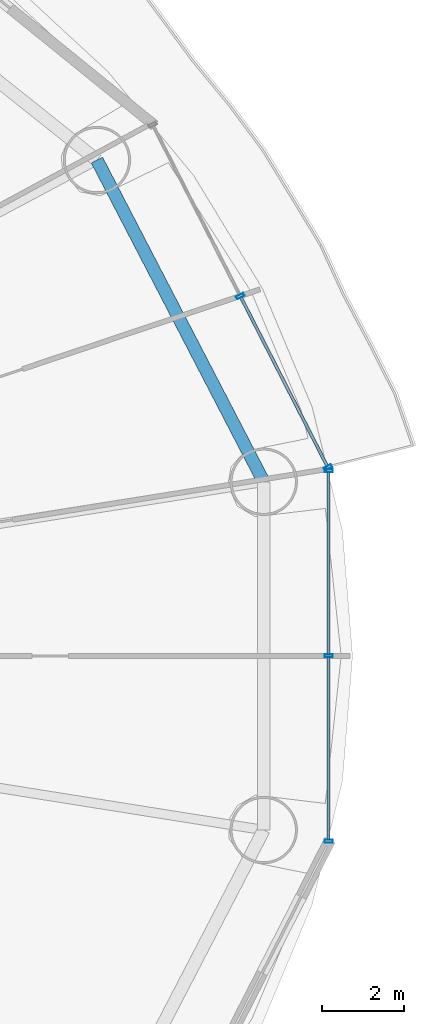
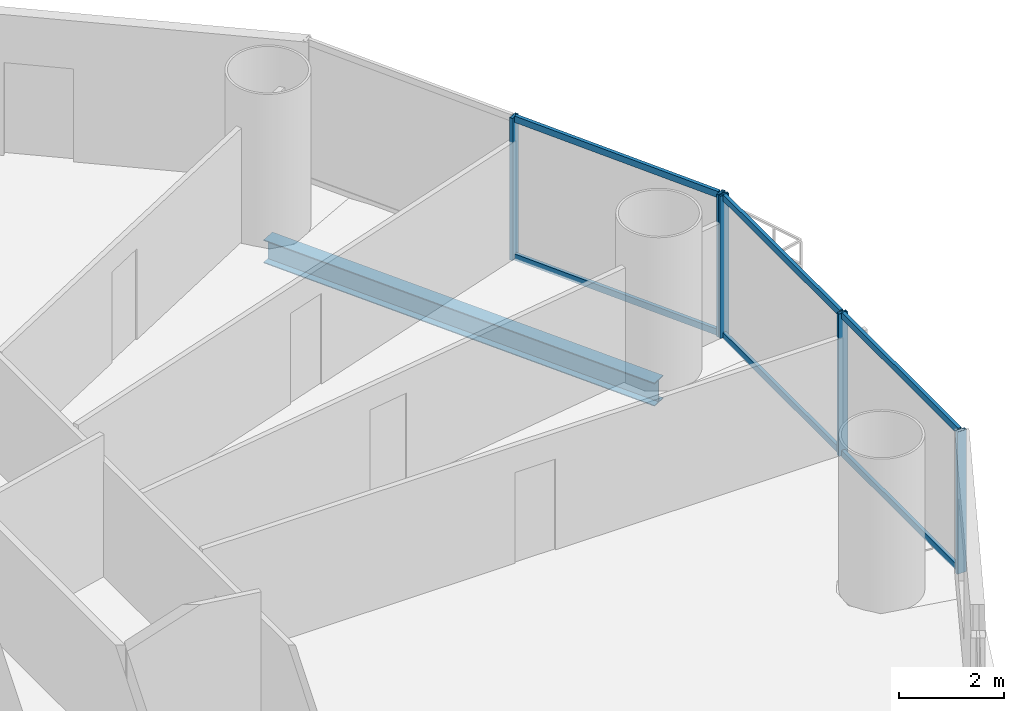
# One storey, part 14 of 29: 11 members, 1 beam, 2 elements without a shape of their own.
"""IFC4 building model written with IfcOpenShell, lengths in metres."""

from ifc_helpers import new_model, si_unit, direction, frame, origin, origin_2d, place, context, subcontext, project, spatial, hollow_rectangle, i_section, extrude, source, transform, mapped, material, material_profile, profile_set, type_object, element, aggregate, save


model = new_model("IFC4")

# Units and contexts
model_context = context("Model", 3, precision=1e-05, world=origin(), true_north=direction((-0.2419218956, 0.970295726276)))
body_context = subcontext(model_context, "Body", "Model", "MODEL_VIEW")
ifc_project = project(units=[si_unit("LENGTHUNIT", "METRE"), si_unit("AREAUNIT", "SQUARE_METRE"), si_unit("VOLUMEUNIT", "CUBIC_METRE"), si_unit("PLANEANGLEUNIT", "RADIAN"), si_unit("MASSUNIT", "GRAM", prefix="KILO")], contexts=[model_context])

# Site, building, storey
site_placement = place(None, origin())
site = spatial("IfcSite", under=ifc_project, at=site_placement, CompositionType="ELEMENT")
building_placement = place(site_placement, origin())
building = spatial("IfcBuilding", under=site, at=building_placement, Name="Cobrevalo Terracotta Tower", CompositionType="ELEMENT")
storey_placement = place(building_placement, frame((0.0, 0.0, 49.199951171875)))
storey = spatial("IfcBuildingStorey", under=building, at=storey_placement, Name="L12", CompositionType="ELEMENT", Elevation=49.199951171875)

# Beam
ifc_material_1 = material(Name="Steel S355", Category="steel")
ifc_material_profile_1 = material_profile(ifc_material_1, i_section(OverallWidth=0.31201171875, OverallDepth=0.54296875, WebThickness=0.0126953125, FlangeThickness=0.020263671875, at=origin_2d()), Name="W 530x150")
ifc_profile_set_1 = profile_set([ifc_material_profile_1], Name="Steel S355")
beam_type = type_object("IfcBeamType", Name="Structural Spandrel W 530x150 (Steel S355)", PredefinedType="SPANDREL", material=ifc_profile_set_1)
beam_placement = place(storey_placement, frame((64.824462890625, 31.062744140625, -0.551513671875), z_axis=(-0.460285838799, 0.88777077368, 0.0), x_axis=(-0.88777077368, -0.460285838799, 0.0)))
element("IfcBeam", 1, at=beam_placement, inside=storey, type_object=beam_type, Name="L12 perimeter ring spandrel 01", PredefinedType="SPANDREL", context=body_context, shape_type="SweptSolid", body=[
    extrude(i_section(OverallWidth=0.31201171875, OverallDepth=0.54296875, WebThickness=0.0126953125, FlangeThickness=0.020263671875, at=origin_2d()), origin(), (0.0, 0.0, 1.0), 8.8720703125),
])

# Curtain wall, members
ifc_material_2 = material(Name="Anodized aluminium", Category="aluminium")
curtain_wall_type = type_object("IfcCurtainWallType", Name="Lower-tower unitised acoustic low-E curtain wall CW-U1", PredefinedType="NOTDEFINED", material=ifc_material_2)
curtain_wall_1_placement = place(storey_placement, origin())
curtain_wall_1 = element("IfcCurtainWall", 2, at=curtain_wall_1_placement, inside=storey, type_object=curtain_wall_type, Name="L12 curtain wall CW-L12-S01", PredefinedType="NOTDEFINED")
ifc_material_profile_2 = material_profile(ifc_material_2, hollow_rectangle(XDim=0.074951171875, YDim=0.199951171875, WallThickness=0.0048828125, at=origin_2d()), Name="CWM 75x200")
ifc_profile_set_2 = profile_set([ifc_material_profile_2], Name="Anodized aluminium")
member_type_1 = type_object("IfcMemberType", Name="Lower/mid tower unitised mullion 75x200", PredefinedType="MULLION", material=ifc_profile_set_2)
shared_shape_1 = source(origin(), body_context, "Body", "SweptSolid", [
    extrude(hollow_rectangle(XDim=0.074951171875, YDim=0.199951171875, WallThickness=0.0048828125, at=origin_2d()), origin(), (0.0, 0.0, 1.0), 3.320068359375),
])
member_1_placement = place(storey_placement, frame((66.39501953125, 31.414306640625, 0.0), z_axis=(0.0, 0.0, 1.0), x_axis=(-0.455234136597, 0.890371765543, 0.0)))
member_1 = element("IfcMember", 3, at=member_1_placement, type_object=member_type_1, Name="CW-L12-S01 vertical mullion 01", PredefinedType="MULLION", context=body_context, shape_type="MappedRepresentation", body=[
    mapped(shared_shape_1, transform((0.0, 0.0, 0.0), scale=1.0)),
])
member_2_placement = place(storey_placement, frame((64.25048828125, 35.60888671875, 0.0), z_axis=(0.0, 0.0, 1.0), x_axis=(-0.455234136597, 0.890371765543, 0.0)))
member_2 = element("IfcMember", 4, at=member_2_placement, type_object=member_type_1, Name="CW-L12-S01 vertical mullion 02", PredefinedType="MULLION", context=body_context, shape_type="MappedRepresentation", body=[
    mapped(shared_shape_1, transform((0.0, 0.0, 0.0), scale=1.0)),
])

curtain_wall_2_placement = place(storey_placement, origin())
curtain_wall_2 = element("IfcCurtainWall", 5, at=curtain_wall_2_placement, inside=storey, type_object=curtain_wall_type, Name="L12 curtain wall CW-L12-S16", PredefinedType="NOTDEFINED")
member_3_placement = place(storey_placement, frame((66.413330078125, 22.26123046875, 0.0), z_axis=(0.0, 0.0, 1.0), x_axis=(0.0, 1.0, 0.0)))
member_3 = element("IfcMember", 6, at=member_3_placement, type_object=member_type_1, Name="CW-L12-S16 vertical mullion 01", PredefinedType="MULLION", context=body_context, shape_type="MappedRepresentation", body=[
    mapped(shared_shape_1, transform((0.0, 0.0, 0.0), scale=1.0)),
])
member_4_placement = place(storey_placement, frame((66.413330078125, 26.800048828125, 0.0), z_axis=(0.0, 0.0, 1.0), x_axis=(0.0, 1.0, 0.0)))
member_4 = element("IfcMember", 7, at=member_4_placement, type_object=member_type_1, Name="CW-L12-S16 vertical mullion 02", PredefinedType="MULLION", context=body_context, shape_type="MappedRepresentation", body=[
    mapped(shared_shape_1, transform((0.0, 0.0, 0.0), scale=1.0)),
])
member_5_placement = place(storey_placement, frame((66.413330078125, 31.3388671875, 0.0), z_axis=(0.0, 0.0, 1.0), x_axis=(0.0, 1.0, 0.0)))
member_5 = element("IfcMember", 8, at=member_5_placement, type_object=member_type_1, Name="CW-L12-S16 vertical mullion 03", PredefinedType="MULLION", context=body_context, shape_type="MappedRepresentation", body=[
    mapped(shared_shape_1, transform((0.0, 0.0, 0.0), scale=1.0)),
])
ifc_material_profile_3 = material_profile(ifc_material_2, hollow_rectangle(XDim=0.074951171875, YDim=0.14990234375, WallThickness=0.00439453125, at=origin_2d()), Name="CWT 75x150")
ifc_profile_set_3 = profile_set([ifc_material_profile_3], Name="Anodized aluminium")
member_type_2 = type_object("IfcMemberType", Name="Tower unitised aluminium transom 75x150", PredefinedType="USERDEFINED", material=ifc_profile_set_3)
shared_shape_2 = source(origin(), body_context, "Body", "SweptSolid", [
    extrude(hollow_rectangle(XDim=0.074951171875, YDim=0.14990234375, WallThickness=0.00439453125, at=origin_2d()), origin(), (0.0, 0.0, 1.0), 4.458740234375),
])
member_6_placement = place(storey_placement, frame((66.413330078125, 22.30126953125, 0.050048828125), z_axis=(0.0, 1.0, 0.0), x_axis=(-1.0, 0.0, 0.0)))
member_6 = element("IfcMember", 9, at=member_6_placement, type_object=member_type_2, Name="CW-L12-S16 transom B01-T1", ObjectType="TRANSOM", PredefinedType="USERDEFINED", context=body_context, shape_type="MappedRepresentation", body=[
    mapped(shared_shape_2, transform((0.0, 0.0, 0.0), scale=1.0)),
])
member_7_placement = place(storey_placement, frame((66.413330078125, 22.30126953125, 3.27001953125), z_axis=(0.0, 1.0, 0.0), x_axis=(-1.0, 0.0, 0.0)))
member_7 = element("IfcMember", 10, at=member_7_placement, type_object=member_type_2, Name="CW-L12-S16 transom B01-T2", ObjectType="TRANSOM", PredefinedType="USERDEFINED", context=body_context, shape_type="MappedRepresentation", body=[
    mapped(shared_shape_2, transform((0.0, 0.0, 0.0), scale=1.0)),
])
member_8_placement = place(storey_placement, frame((66.413330078125, 26.840087890625, 0.050048828125), z_axis=(0.0, 1.0, 0.0), x_axis=(-1.0, 0.0, 0.0)))
member_8 = element("IfcMember", 11, at=member_8_placement, type_object=member_type_2, Name="CW-L12-S16 transom B02-T1", ObjectType="TRANSOM", PredefinedType="USERDEFINED", context=body_context, shape_type="MappedRepresentation", body=[
    mapped(shared_shape_2, transform((0.0, 0.0, 0.0), scale=1.0)),
])
member_9_placement = place(storey_placement, frame((66.413330078125, 26.840087890625, 3.27001953125), z_axis=(0.0, 1.0, 0.0), x_axis=(-1.0, 0.0, 0.0)))
member_9 = element("IfcMember", 12, at=member_9_placement, type_object=member_type_2, Name="CW-L12-S16 transom B02-T2", ObjectType="TRANSOM", PredefinedType="USERDEFINED", context=body_context, shape_type="MappedRepresentation", body=[
    mapped(shared_shape_2, transform((0.0, 0.0, 0.0), scale=1.0)),
])
aggregate(curtain_wall_2, [member_3, member_4, member_5, member_6, member_7, member_8, member_9])

# Member
shared_shape_3 = source(origin(), body_context, "Body", "SweptSolid", [
    extrude(hollow_rectangle(XDim=0.074951171875, YDim=0.14990234375, WallThickness=0.00439453125, at=origin_2d()), origin(), (0.0, 0.0, 1.0), 4.631103515625),
])
member_10_placement = place(storey_placement, frame((66.376953125, 31.449951171875, 0.050048828125), z_axis=(-0.455208584993, 0.890384829245, 0.0), x_axis=(-0.890384829245, -0.455208584993, 0.0)))
member_10 = element("IfcMember", 13, at=member_10_placement, type_object=member_type_2, Name="CW-L12-S01 transom B01-T1", ObjectType="TRANSOM", PredefinedType="USERDEFINED", context=body_context, shape_type="MappedRepresentation", body=[
    mapped(shared_shape_3, transform((0.0, 0.0, 0.0), scale=1.0)),
])

member_11_placement = place(storey_placement, frame((66.376953125, 31.449951171875, 3.27001953125), z_axis=(-0.455208584993, 0.890384829245, 0.0), x_axis=(-0.890384829245, -0.455208584993, 0.0)))
member_11 = element("IfcMember", 14, at=member_11_placement, type_object=member_type_2, Name="CW-L12-S01 transom B01-T2", ObjectType="TRANSOM", PredefinedType="USERDEFINED", context=body_context, shape_type="MappedRepresentation", body=[
    mapped(shared_shape_3, transform((0.0, 0.0, 0.0), scale=1.0)),
])

aggregate(curtain_wall_1, [member_1, member_2, member_10, member_11])

save(model, "model.ifc")
